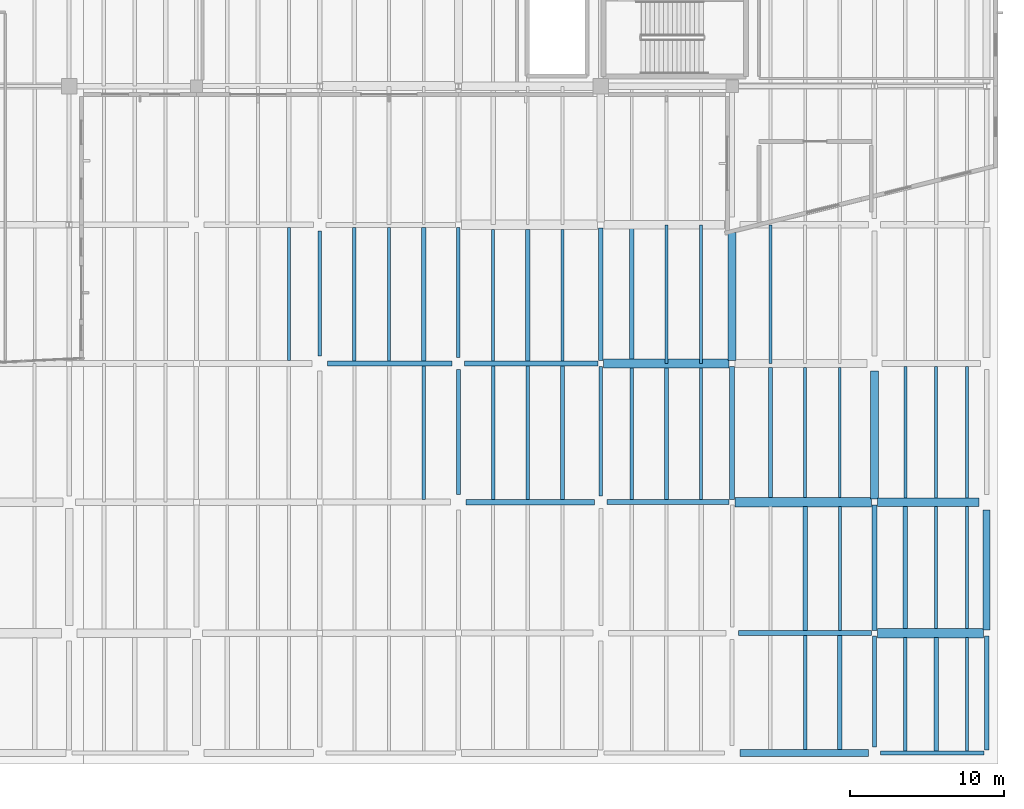
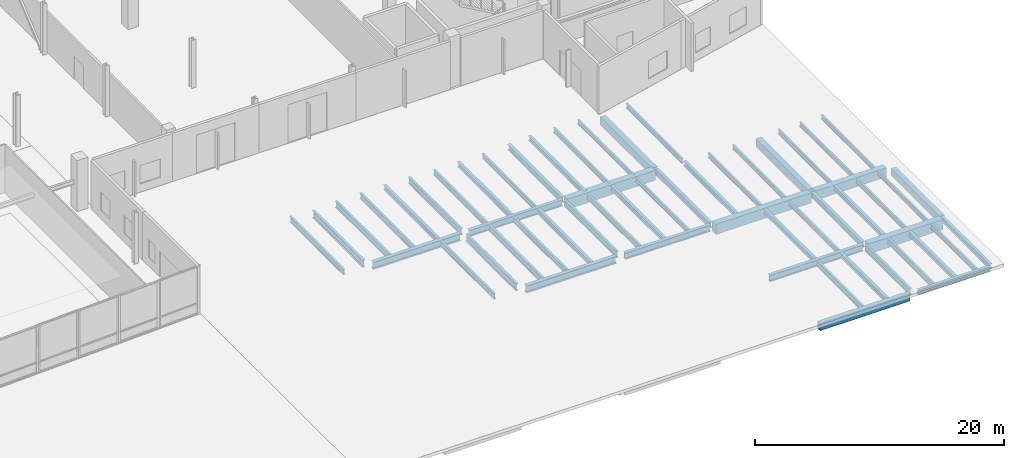
# One storey, part 50 of 88: 57 beams.
"""IFC4 building model written with IfcOpenShell, lengths in metres."""

from ifc_helpers import new_model, si_unit, direction, frame, origin, origin_2d, place, context, subcontext, project, spatial, rectangle, i_section, extrude, material, material_profile, profile_set, type_object, element, save


model = new_model("IFC4")

# Units and contexts
model_context = context("Model", 3, precision=1e-05, world=origin(), true_north=direction((0.0, 1.0)))
body_context = subcontext(model_context, "Body", "Model", "MODEL_VIEW")
ifc_project = project(units=[si_unit("LENGTHUNIT", "METRE"), si_unit("AREAUNIT", "SQUARE_METRE"), si_unit("VOLUMEUNIT", "CUBIC_METRE"), si_unit("PLANEANGLEUNIT", "RADIAN"), si_unit("MASSUNIT", "GRAM", prefix="KILO")], contexts=[model_context])

# Site, building, storey
site_placement = place(None, origin())
site = spatial("IfcSite", under=ifc_project, at=site_placement, CompositionType="ELEMENT")
building_placement = place(site_placement, origin())
building = spatial("IfcBuilding", under=site, at=building_placement, Name="Trimount Lyric Opera House", CompositionType="ELEMENT")
storey_placement = place(building_placement, origin())
storey = spatial("IfcBuildingStorey", under=building, at=storey_placement, Name="L00", CompositionType="ELEMENT", Elevation=0.0)

# Beams
ifc_material_1 = material(Name="Steel ASTM A992 Grade 50", Category="steel")
ifc_material_profile_1 = material_profile(ifc_material_1, i_section(OverallWidth=0.35595703125, OverallDepth=0.700927734375, WebThickness=0.016845703125, FlangeThickness=0.02734375, FilletRadius=0.01806640625, at=origin_2d()), Name="W27X161")
ifc_profile_set_1 = profile_set([ifc_material_profile_1], Name="Steel ASTM A992 Grade 50")
beam_type_1 = type_object("IfcBeamType", Name="B-08", PredefinedType="BEAM", material=ifc_profile_set_1)
beam_1_placement = place(storey_placement, frame((139.5, 17.0, -0.650390625), z_axis=(1.0, 0.0, 0.0), x_axis=(0.0, 1.0, 0.0)))
element("IfcBeam", 1, at=beam_1_placement, inside=storey, type_object=beam_type_1, Name="L00 girder X-0050", PredefinedType="BEAM", context=body_context, shape_type="SweptSolid", body=[
    extrude(i_section(OverallWidth=0.35595703125, OverallDepth=0.700927734375, WebThickness=0.016845703125, FlangeThickness=0.02734375, FilletRadius=0.01806640625, at=origin_2d()), origin(), (0.0, 0.0, 1.0), 8.340087890625),
])
beam_2_placement = place(storey_placement, frame((130.5, 26.0, -0.650390625), z_axis=(1.0, 0.0, 0.0), x_axis=(0.0, 1.0, 0.0)))
element("IfcBeam", 2, at=beam_2_placement, inside=storey, type_object=beam_type_1, Name="L00 girder X-0064", PredefinedType="BEAM", context=body_context, shape_type="SweptSolid", body=[
    extrude(i_section(OverallWidth=0.35595703125, OverallDepth=0.700927734375, WebThickness=0.016845703125, FlangeThickness=0.02734375, FilletRadius=0.01806640625, at=origin_2d()), origin(), (0.0, 0.0, 1.0), 8.10009765625),
])
ifc_material_2 = material(Name="Steel ASTM A992 Grade 50", Category="steel")
ifc_material_profile_2 = material_profile(ifc_material_2, i_section(OverallWidth=0.25390625, OverallDepth=0.68798828125, WebThickness=0.01318359375, FlangeThickness=0.02099609375, FilletRadius=0.01611328125, at=origin_2d()), Name="W27X102")
ifc_profile_set_2 = profile_set([ifc_material_profile_2], Name="Steel ASTM A992 Grade 50")
beam_type_2 = type_object("IfcBeamType", Name="B-09", PredefinedType="BEAM", material=ifc_profile_set_2)
for number, where, z_axis, x_axis, name in (
    (3, (130.0, 26.5, -0.64404296875), (0.0, 1.0, 0.0), (-1.0, 0.0, 0.0), "L00 girder Y-0397"),
    (4, (139.0, 17.5, -0.64404296875), (0.0, 1.0, 0.0), (-1.0, 0.0, 0.0), "L00 girder Y-0406"),
):
    element("IfcBeam", number, at=place(storey_placement, frame(where, z_axis=z_axis, x_axis=x_axis)), inside=storey, type_object=beam_type_2, Name=name, PredefinedType="BEAM", context=body_context, shape_type="SweptSolid", body=[
        extrude(i_section(OverallWidth=0.25390625, OverallDepth=0.68798828125, WebThickness=0.01318359375, FlangeThickness=0.02099609375, FilletRadius=0.01611328125, at=origin_2d()), origin(), (0.0, 0.0, 1.0), 8.10009765625),
    ])
ifc_material_3 = material(Name="Steel ASTM A992 Grade 50", Category="steel")
ifc_material_profile_3 = material_profile(ifc_material_3, i_section(OverallWidth=0.327880859375, OverallDepth=0.626953125, WebThickness=0.0166015625, FlangeThickness=0.027587890625, FilletRadius=0.01611328125, at=origin_2d()), Name="W24X146")
ifc_profile_set_3 = profile_set([ifc_material_profile_3], Name="Steel ASTM A992 Grade 50")
beam_type_3 = type_object("IfcBeamType", Name="B-10", PredefinedType="BEAM", material=ifc_profile_set_3)
beam_3_placement = place(storey_placement, frame((157.159912109375, 8.5, -0.613525390625), z_axis=(1.0, 0.0, 0.0), x_axis=(0.0, 1.0, 0.0)))
element("IfcBeam", 5, at=beam_3_placement, inside=storey, type_object=beam_type_3, Name="L00 girder X-0037", PredefinedType="BEAM", context=body_context, shape_type="SweptSolid", body=[
    extrude(i_section(OverallWidth=0.327880859375, OverallDepth=0.626953125, WebThickness=0.0166015625, FlangeThickness=0.027587890625, FilletRadius=0.01611328125, at=origin_2d()), origin(), (0.0, 0.0, 1.0), 8.653564453125),
])
beam_4_placement = place(storey_placement, frame((148.639892578125, 17.0, -0.613525390625), z_axis=(1.0, 0.0, 0.0), x_axis=(0.0, 1.0, 0.0)))
element("IfcBeam", 6, at=beam_4_placement, inside=storey, type_object=beam_type_3, Name="L00 girder X-0051", PredefinedType="BEAM", context=body_context, shape_type="SweptSolid", body=[
    extrude(i_section(OverallWidth=0.327880859375, OverallDepth=0.626953125, WebThickness=0.0166015625, FlangeThickness=0.027587890625, FilletRadius=0.01611328125, at=origin_2d()), origin(), (0.0, 0.0, 1.0), 7.93359375),
])
beam_5_placement = place(storey_placement, frame((139.39990234375, 26.0, -0.613525390625), z_axis=(1.0, 0.0, 0.0), x_axis=(0.0, 1.0, 0.0)))
element("IfcBeam", 7, at=beam_5_placement, inside=storey, type_object=beam_type_3, Name="L00 girder X-0065", PredefinedType="BEAM", context=body_context, shape_type="SweptSolid", body=[
    extrude(i_section(OverallWidth=0.327880859375, OverallDepth=0.626953125, WebThickness=0.0166015625, FlangeThickness=0.027587890625, FilletRadius=0.01611328125, at=origin_2d()), origin(), (0.0, 0.0, 1.0), 8.653564453125),
])
ifc_material_4 = material(Name="Steel ASTM A992 Grade 50", Category="steel")
ifc_material_profile_4 = material_profile(ifc_material_4, i_section(OverallWidth=0.22998046875, OverallDepth=0.616943359375, WebThickness=0.01318359375, FlangeThickness=0.022216796875, FilletRadius=0.013916015625, at=origin_2d()), Name="W24X94")
ifc_profile_set_4 = profile_set([ifc_material_profile_4], Name="Steel ASTM A992 Grade 50")
beam_type_4 = type_object("IfcBeamType", Name="B-11", PredefinedType="BEAM", material=ifc_profile_set_4)
for number, where, z_axis, x_axis, name in (
    (8, (139.0, 26.39990234375, -0.6083984375), (0.0, 1.0, 0.0), (-1.0, 0.0, 0.0), "L00 girder Y-0407"),
    (9, (148.239990234375, 17.39990234375, -0.6083984375), (0.0, 1.0, 0.0), (-1.0, 0.0, 0.0), "L00 girder Y-0416"),
):
    element("IfcBeam", number, at=place(storey_placement, frame(where, z_axis=z_axis, x_axis=x_axis)), inside=storey, type_object=beam_type_4, Name=name, PredefinedType="BEAM", context=body_context, shape_type="SweptSolid", body=[
        extrude(i_section(OverallWidth=0.22998046875, OverallDepth=0.616943359375, WebThickness=0.01318359375, FlangeThickness=0.022216796875, FilletRadius=0.013916015625, at=origin_2d()), origin(), (0.0, 0.0, 1.0), 8.416015625),
    ])
beam_6_placement = place(storey_placement, frame((166.0, 1.1201171875, -0.6083984375), z_axis=(0.0, 1.0, 0.0), x_axis=(-1.0, 0.0, 0.0)))
element("IfcBeam", 10, at=beam_6_placement, inside=storey, type_object=beam_type_4, Name="L00 girder Y-0439", PredefinedType="BEAM", context=body_context, shape_type="SweptSolid", body=[
    extrude(i_section(OverallWidth=0.22998046875, OverallDepth=0.616943359375, WebThickness=0.01318359375, FlangeThickness=0.022216796875, FilletRadius=0.013916015625, at=origin_2d()), origin(), (0.0, 0.0, 1.0), 7.19580078125),
])
ifc_material_5 = material(Name="Steel ASTM A992 Grade 50", Category="steel")
ifc_material_profile_5 = material_profile(ifc_material_5, i_section(OverallWidth=0.31201171875, OverallDepth=0.5458984375, WebThickness=0.013916015625, FlangeThickness=0.022216796875, FilletRadius=0.014892578125, at=origin_2d()), Name="W21X111")
ifc_profile_set_5 = profile_set([ifc_material_profile_5], Name="Steel ASTM A992 Grade 50")
beam_type_5 = type_object("IfcBeamType", Name="B-12", PredefinedType="BEAM", material=ifc_profile_set_5)
for number, where, z_axis, x_axis, name in (
    (11, (148.239990234375, 26.18408203125, -0.572998046875), (0.0, 1.0, 0.0), (-1.0, 0.0, 0.0), "L00 girder Y-0417"),
    (12, (156.760009765625, 17.18408203125, -0.572998046875), (0.0, 1.0, 0.0), (-1.0, 0.0, 0.0), "L00 girder Y-0429"),
):
    element("IfcBeam", number, at=place(storey_placement, frame(where, z_axis=z_axis, x_axis=x_axis)), inside=storey, type_object=beam_type_5, Name=name, PredefinedType="BEAM", context=body_context, shape_type="SweptSolid", body=[
        extrude(i_section(OverallWidth=0.31201171875, OverallDepth=0.5458984375, WebThickness=0.013916015625, FlangeThickness=0.022216796875, FilletRadius=0.014892578125, at=origin_2d()), origin(), (0.0, 0.0, 1.0), 8.622802734375),
    ])
beam_7_placement = place(storey_placement, frame((166.0, 8.68408203125, -0.572998046875), z_axis=(0.0, 1.0, 0.0), x_axis=(-1.0, 0.0, 0.0)))
element("IfcBeam", 13, at=beam_7_placement, inside=storey, type_object=beam_type_5, Name="L00 girder Y-0440", PredefinedType="BEAM", context=body_context, shape_type="SweptSolid", body=[
    extrude(i_section(OverallWidth=0.31201171875, OverallDepth=0.5458984375, WebThickness=0.013916015625, FlangeThickness=0.022216796875, FilletRadius=0.014892578125, at=origin_2d()), origin(), (0.0, 0.0, 1.0), 8.122802734375),
])
ifc_material_6 = material(Name="Concrete C40/50", Category="concrete")
ifc_material_profile_6 = material_profile(ifc_material_6, rectangle(XDim=0.60009765625, YDim=1.0, at=origin_2d()), Name="RC600X1000")
ifc_profile_set_6 = profile_set([ifc_material_profile_6], Name="Concrete C40/50")
beam_type_6 = type_object("IfcBeamType", Name="B-13", PredefinedType="BEAM", material=ifc_profile_set_6)
beam_8_placement = place(storey_placement, frame((166.1865234375, 8.5, -0.800048828125), z_axis=(1.0, 0.0, 0.0), x_axis=(0.0, 1.0, 0.0)))
element("IfcBeam", 14, at=beam_8_placement, inside=storey, type_object=beam_type_6, Name="L00 girder X-0038", PredefinedType="BEAM", context=body_context, shape_type="SweptSolid", body=[
    extrude(rectangle(XDim=0.60009765625, YDim=1.0, at=origin_2d()), origin(), (0.0, 0.0, 1.0), 6.89404296875),
])
beam_9_placement = place(storey_placement, frame((156.946533203125, 17.0, -0.800048828125), z_axis=(1.0, 0.0, 0.0), x_axis=(0.0, 1.0, 0.0)))
element("IfcBeam", 15, at=beam_9_placement, inside=storey, type_object=beam_type_6, Name="L00 girder X-0052", PredefinedType="BEAM", context=body_context, shape_type="SweptSolid", body=[
    extrude(rectangle(XDim=0.60009765625, YDim=1.0, at=origin_2d()), origin(), (0.0, 0.0, 1.0), 8.85400390625),
])
beam_10_placement = place(storey_placement, frame((148.426513671875, 26.0, -0.800048828125), z_axis=(1.0, 0.0, 0.0), x_axis=(0.0, 1.0, 0.0)))
element("IfcBeam", 16, at=beam_10_placement, inside=storey, type_object=beam_type_6, Name="L00 girder X-0066", PredefinedType="BEAM", context=body_context, shape_type="SweptSolid", body=[
    extrude(rectangle(XDim=0.60009765625, YDim=1.0, at=origin_2d()), origin(), (0.0, 0.0, 1.0), 8.134033203125),
])
ifc_material_7 = material(Name="Concrete C40/50", Category="concrete")
ifc_material_profile_7 = material_profile(ifc_material_7, rectangle(XDim=0.550048828125, YDim=0.89990234375, at=origin_2d()), Name="RC550X900")
ifc_profile_set_7 = profile_set([ifc_material_profile_7], Name="Concrete C40/50")
beam_type_7 = type_object("IfcBeamType", Name="B-14", PredefinedType="BEAM", material=ifc_profile_set_7)
beam_11_placement = place(storey_placement, frame((166.199462890625, 17.0, -0.75), z_axis=(1.0, 0.0, 0.0), x_axis=(0.0, 1.0, 0.0)))
element("IfcBeam", 17, at=beam_11_placement, inside=storey, type_object=beam_type_7, Name="L00 girder X-0053", PredefinedType="BEAM", context=body_context, shape_type="SweptSolid", body=[
    extrude(rectangle(XDim=0.550048828125, YDim=0.89990234375, at=origin_2d()), origin(), (0.0, 0.0, 1.0), 6.58056640625),
])
ifc_material_8 = material(Name="Concrete C40/50", Category="concrete")
ifc_material_profile_8 = material_profile(ifc_material_8, rectangle(XDim=0.5, YDim=0.800048828125, at=origin_2d()), Name="RC500X800")
ifc_profile_set_8 = profile_set([ifc_material_profile_8], Name="Concrete C40/50")
beam_type_8 = type_object("IfcBeamType", Name="B-15", PredefinedType="BEAM", material=ifc_profile_set_8)
for number, where, z_axis, x_axis, name in (
    (18, (156.760009765625, 26.193115234375, -0.780029296875), (0.0, 1.0, 0.0), (-1.0, 0.0, 0.0), "L00 girder Y-0430"),
    (19, (166.0, 17.193115234375, -0.699951171875), (0.0, 1.0, 0.0), (-1.0, 0.0, 0.0), "L00 girder Y-0441"),
):
    element("IfcBeam", number, at=place(storey_placement, frame(where, z_axis=z_axis, x_axis=x_axis)), inside=storey, type_object=beam_type_8, Name=name, PredefinedType="BEAM", context=body_context, shape_type="SweptSolid", body=[
        extrude(rectangle(XDim=0.5, YDim=0.800048828125, at=origin_2d()), origin(), (0.0, 0.0, 1.0), 8.306884765625),
    ])
ifc_material_9 = material(Name="Steel ASTM A992 Grade 50", Category="steel")
ifc_material_profile_9 = material_profile(ifc_material_9, i_section(OverallWidth=0.22802734375, OverallDepth=0.60205078125, WebThickness=0.010498046875, FlangeThickness=0.014892578125, FilletRadius=0.012939453125, at=origin_2d()), Name="W24X68")
ifc_profile_set_9 = profile_set([ifc_material_profile_9], Name="Steel ASTM A992 Grade 50")
beam_type_9 = type_object("IfcBeamType", Name="J-01", PredefinedType="BEAM", material=ifc_profile_set_9)
for number, where, z_axis, x_axis, name in (
    (20, (132.25, 26.174072265625, -0.60107421875), (0.0, 1.0, 0.0), (-1.0, 0.0, 0.0), "L00 composite floor joist 0408"),
    (21, (141.25, 17.174072265625, -0.60107421875), (0.0, 1.0, 0.0), (-1.0, 0.0, 0.0), "L00 composite floor joist 0435"),
):
    element("IfcBeam", number, at=place(storey_placement, frame(where, z_axis=z_axis, x_axis=x_axis)), inside=storey, type_object=beam_type_9, Name=name, PredefinedType="BEAM", context=body_context, shape_type="SweptSolid", body=[
        extrude(i_section(OverallWidth=0.22802734375, OverallDepth=0.60205078125, WebThickness=0.010498046875, FlangeThickness=0.014892578125, FilletRadius=0.012939453125, at=origin_2d()), origin(), (0.0, 0.0, 1.0), 8.666015625),
    ])
ifc_material_10 = material(Name="Steel ASTM A992 Grade 50", Category="steel")
ifc_material_profile_10 = material_profile(ifc_material_10, i_section(OverallWidth=0.2099609375, OverallDepth=0.532958984375, WebThickness=0.01025390625, FlangeThickness=0.015625, FilletRadius=0.012939453125, at=origin_2d()), Name="W21X62")
ifc_profile_set_10 = profile_set([ifc_material_profile_10], Name="Steel ASTM A992 Grade 50")
beam_type_10 = type_object("IfcBeamType", Name="J-02", PredefinedType="BEAM", material=ifc_profile_set_10)
for number, where, z_axis, x_axis, name in (
    (22, (128.0, 26.18701171875, -0.56640625), (0.0, 1.0, 0.0), (-1.0, 0.0, 0.0), "L00 composite floor joist 0380"),
    (23, (136.75, 17.18701171875, -0.56640625), (0.0, 1.0, 0.0), (-1.0, 0.0, 0.0), "L00 composite floor joist 0407"),
):
    element("IfcBeam", number, at=place(storey_placement, frame(where, z_axis=z_axis, x_axis=x_axis)), inside=storey, type_object=beam_type_10, Name=name, PredefinedType="BEAM", context=body_context, shape_type="SweptSolid", body=[
        extrude(i_section(OverallWidth=0.2099609375, OverallDepth=0.532958984375, WebThickness=0.01025390625, FlangeThickness=0.015625, FilletRadius=0.012939453125, at=origin_2d()), origin(), (0.0, 0.0, 1.0), 8.638916015625),
    ])
for number, where, z_axis, x_axis, name in (
    (24, (134.5, 26.174072265625, -0.56640625), (0.0, 1.0, 0.0), (-1.0, 0.0, 0.0), "L00 composite floor joist 0409"),
    (25, (143.5, 17.174072265625, -0.56640625), (0.0, 1.0, 0.0), (-1.0, 0.0, 0.0), "L00 composite floor joist 0436"),
):
    element("IfcBeam", number, at=place(storey_placement, frame(where, z_axis=z_axis, x_axis=x_axis)), inside=storey, type_object=beam_type_10, Name=name, PredefinedType="BEAM", context=body_context, shape_type="SweptSolid", body=[
        extrude(i_section(OverallWidth=0.2099609375, OverallDepth=0.532958984375, WebThickness=0.01025390625, FlangeThickness=0.015625, FilletRadius=0.012939453125, at=origin_2d()), origin(), (0.0, 0.0, 1.0), 8.666015625),
    ])
for number, where, z_axis, x_axis, name in (
    (26, (141.25, 26.159912109375, -0.56640625), (0.0, 1.0, 0.0), (-1.0, 0.0, 0.0), "L00 composite floor joist 0438"),
    (27, (150.25, 17.159912109375, -0.56640625), (0.0, 1.0, 0.0), (-1.0, 0.0, 0.0), "L00 composite floor joist 0464"),
):
    element("IfcBeam", number, at=place(storey_placement, frame(where, z_axis=z_axis, x_axis=x_axis)), inside=storey, type_object=beam_type_10, Name=name, PredefinedType="BEAM", context=body_context, shape_type="SweptSolid", body=[
        extrude(i_section(OverallWidth=0.2099609375, OverallDepth=0.532958984375, WebThickness=0.01025390625, FlangeThickness=0.015625, FilletRadius=0.012939453125, at=origin_2d()), origin(), (0.0, 0.0, 1.0), 8.544189453125),
    ])
beam_12_placement = place(storey_placement, frame((161.5, 0.94091796875, -0.56640625), z_axis=(0.0, 1.0, 0.0), x_axis=(-1.0, 0.0, 0.0)))
element("IfcBeam", 28, at=beam_12_placement, inside=storey, type_object=beam_type_10, Name="L00 composite floor joist 0495", PredefinedType="BEAM", context=body_context, shape_type="SweptSolid", body=[
    extrude(i_section(OverallWidth=0.2099609375, OverallDepth=0.532958984375, WebThickness=0.01025390625, FlangeThickness=0.015625, FilletRadius=0.012939453125, at=origin_2d()), origin(), (0.0, 0.0, 1.0), 7.399169921875),
])
beam_13_placement = place(storey_placement, frame((168.0, 0.85693359375, -0.56640625), z_axis=(0.0, 1.0, 0.0), x_axis=(-1.0, 0.0, 0.0)))
element("IfcBeam", 29, at=beam_13_placement, inside=storey, type_object=beam_type_10, Name="L00 composite floor joist 0533", PredefinedType="BEAM", context=body_context, shape_type="SweptSolid", body=[
    extrude(i_section(OverallWidth=0.2099609375, OverallDepth=0.532958984375, WebThickness=0.01025390625, FlangeThickness=0.015625, FilletRadius=0.012939453125, at=origin_2d()), origin(), (0.0, 0.0, 1.0), 7.34716796875),
])
ifc_material_11 = material(Name="Steel ASTM A992 Grade 50", Category="steel")
ifc_material_profile_11 = material_profile(ifc_material_11, i_section(OverallWidth=0.281982421875, OverallDepth=0.467041015625, WebThickness=0.01220703125, FlangeThickness=0.01953125, FilletRadius=0.012939453125, at=origin_2d()), Name="W18X86")
ifc_profile_set_11 = profile_set([ifc_material_profile_11], Name="Steel ASTM A992 Grade 50")
beam_type_11 = type_object("IfcBeamType", Name="J-03", PredefinedType="BEAM", material=ifc_profile_set_11)
for number, where, z_axis, x_axis, name in (
    (30, (136.75, 26.174072265625, -0.533447265625), (0.0, 1.0, 0.0), (-1.0, 0.0, 0.0), "L00 composite floor joist 0410"),
    (31, (145.75, 17.174072265625, -0.533447265625), (0.0, 1.0, 0.0), (-1.0, 0.0, 0.0), "L00 composite floor joist 0437"),
):
    element("IfcBeam", number, at=place(storey_placement, frame(where, z_axis=z_axis, x_axis=x_axis)), inside=storey, type_object=beam_type_11, Name=name, PredefinedType="BEAM", context=body_context, shape_type="SweptSolid", body=[
        extrude(i_section(OverallWidth=0.281982421875, OverallDepth=0.467041015625, WebThickness=0.01220703125, FlangeThickness=0.01953125, FilletRadius=0.012939453125, at=origin_2d()), origin(), (0.0, 0.0, 1.0), 8.666015625),
    ])
for number, where, z_axis, x_axis, name in (
    (32, (143.5, 26.159912109375, -0.533447265625), (0.0, 1.0, 0.0), (-1.0, 0.0, 0.0), "L00 composite floor joist 0439"),
    (33, (152.5, 17.159912109375, -0.533447265625), (0.0, 1.0, 0.0), (-1.0, 0.0, 0.0), "L00 composite floor joist 0465"),
):
    element("IfcBeam", number, at=place(storey_placement, frame(where, z_axis=z_axis, x_axis=x_axis)), inside=storey, type_object=beam_type_11, Name=name, PredefinedType="BEAM", context=body_context, shape_type="SweptSolid", body=[
        extrude(i_section(OverallWidth=0.281982421875, OverallDepth=0.467041015625, WebThickness=0.01220703125, FlangeThickness=0.01953125, FilletRadius=0.012939453125, at=origin_2d()), origin(), (0.0, 0.0, 1.0), 8.544189453125),
    ])
beam_14_placement = place(storey_placement, frame((150.25, 26.011962890625, -0.533447265625), z_axis=(0.0, 1.0, 0.0), x_axis=(-1.0, 0.0, 0.0)))
element("IfcBeam", 34, at=beam_14_placement, inside=storey, type_object=beam_type_11, Name="L00 composite floor joist 0467", PredefinedType="BEAM", context=body_context, shape_type="SweptSolid", body=[
    extrude(i_section(OverallWidth=0.281982421875, OverallDepth=0.467041015625, WebThickness=0.01220703125, FlangeThickness=0.01953125, FilletRadius=0.012939453125, at=origin_2d()), origin(), (0.0, 0.0, 1.0), 8.97607421875),
])
beam_15_placement = place(storey_placement, frame((163.75, 0.94091796875, -0.533447265625), z_axis=(0.0, 1.0, 0.0), x_axis=(-1.0, 0.0, 0.0)))
element("IfcBeam", 35, at=beam_15_placement, inside=storey, type_object=beam_type_11, Name="L00 composite floor joist 0496", PredefinedType="BEAM", context=body_context, shape_type="SweptSolid", body=[
    extrude(i_section(OverallWidth=0.281982421875, OverallDepth=0.467041015625, WebThickness=0.01220703125, FlangeThickness=0.01953125, FilletRadius=0.012939453125, at=origin_2d()), origin(), (0.0, 0.0, 1.0), 7.399169921875),
])
beam_16_placement = place(storey_placement, frame((161.5, 8.659912109375, -0.533447265625), z_axis=(0.0, 1.0, 0.0), x_axis=(-1.0, 0.0, 0.0)))
element("IfcBeam", 36, at=beam_16_placement, inside=storey, type_object=beam_type_11, Name="L00 composite floor joist 0498", PredefinedType="BEAM", context=body_context, shape_type="SweptSolid", body=[
    extrude(i_section(OverallWidth=0.281982421875, OverallDepth=0.467041015625, WebThickness=0.01220703125, FlangeThickness=0.01953125, FilletRadius=0.012939453125, at=origin_2d()), origin(), (0.0, 0.0, 1.0), 8.044189453125),
])
beam_17_placement = place(storey_placement, frame((159.25, 17.2958984375, -0.533447265625), z_axis=(0.0, 1.0, 0.0), x_axis=(-1.0, 0.0, 0.0)))
element("IfcBeam", 37, at=beam_17_placement, inside=storey, type_object=beam_type_11, Name="L00 composite floor joist 0500", PredefinedType="BEAM", context=body_context, shape_type="SweptSolid", body=[
    extrude(i_section(OverallWidth=0.281982421875, OverallDepth=0.467041015625, WebThickness=0.01220703125, FlangeThickness=0.01953125, FilletRadius=0.012939453125, at=origin_2d()), origin(), (0.0, 0.0, 1.0), 8.43310546875),
])
beam_18_placement = place(storey_placement, frame((170.0, 0.85693359375, -0.533447265625), z_axis=(0.0, 1.0, 0.0), x_axis=(-1.0, 0.0, 0.0)))
element("IfcBeam", 38, at=beam_18_placement, inside=storey, type_object=beam_type_11, Name="L00 composite floor joist 0534", PredefinedType="BEAM", context=body_context, shape_type="SweptSolid", body=[
    extrude(i_section(OverallWidth=0.281982421875, OverallDepth=0.467041015625, WebThickness=0.01220703125, FlangeThickness=0.01953125, FilletRadius=0.012939453125, at=origin_2d()), origin(), (0.0, 0.0, 1.0), 7.34716796875),
])
beam_19_placement = place(storey_placement, frame((168.0, 8.7958984375, -0.533447265625), z_axis=(0.0, 1.0, 0.0), x_axis=(-1.0, 0.0, 0.0)))
element("IfcBeam", 39, at=beam_19_placement, inside=storey, type_object=beam_type_11, Name="L00 composite floor joist 0536", PredefinedType="BEAM", context=body_context, shape_type="SweptSolid", body=[
    extrude(i_section(OverallWidth=0.281982421875, OverallDepth=0.467041015625, WebThickness=0.01220703125, FlangeThickness=0.01953125, FilletRadius=0.012939453125, at=origin_2d()), origin(), (0.0, 0.0, 1.0), 7.93310546875),
])
ifc_material_12 = material(Name="Steel ASTM A992 Grade 50", Category="steel")
ifc_material_profile_12 = material_profile(ifc_material_12, i_section(OverallWidth=0.19091796875, OverallDepth=0.45703125, WebThickness=0.009033203125, FlangeThickness=0.014404296875, FilletRadius=0.010986328125, at=origin_2d()), Name="W18X50")
ifc_profile_set_12 = profile_set([ifc_material_profile_12], Name="Steel ASTM A992 Grade 50")
beam_type_12 = type_object("IfcBeamType", Name="J-04", PredefinedType="BEAM", material=ifc_profile_set_12)
for number, where, z_axis, x_axis, name in (
    (40, (145.75, 26.159912109375, -0.528564453125), (0.0, 1.0, 0.0), (-1.0, 0.0, 0.0), "L00 composite floor joist 0440"),
    (41, (154.75, 17.159912109375, -0.528564453125), (0.0, 1.0, 0.0), (-1.0, 0.0, 0.0), "L00 composite floor joist 0466"),
):
    element("IfcBeam", number, at=place(storey_placement, frame(where, z_axis=z_axis, x_axis=x_axis)), inside=storey, type_object=beam_type_12, Name=name, PredefinedType="BEAM", context=body_context, shape_type="SweptSolid", body=[
        extrude(i_section(OverallWidth=0.19091796875, OverallDepth=0.45703125, WebThickness=0.009033203125, FlangeThickness=0.014404296875, FilletRadius=0.010986328125, at=origin_2d()), origin(), (0.0, 0.0, 1.0), 8.544189453125),
    ])
beam_20_placement = place(storey_placement, frame((152.5, 26.011962890625, -0.528564453125), z_axis=(0.0, 1.0, 0.0), x_axis=(-1.0, 0.0, 0.0)))
element("IfcBeam", 42, at=beam_20_placement, inside=storey, type_object=beam_type_12, Name="L00 composite floor joist 0468", PredefinedType="BEAM", context=body_context, shape_type="SweptSolid", body=[
    extrude(i_section(OverallWidth=0.19091796875, OverallDepth=0.45703125, WebThickness=0.009033203125, FlangeThickness=0.014404296875, FilletRadius=0.010986328125, at=origin_2d()), origin(), (0.0, 0.0, 1.0), 8.97607421875),
])
beam_21_placement = place(storey_placement, frame((163.75, 8.659912109375, -0.528564453125), z_axis=(0.0, 1.0, 0.0), x_axis=(-1.0, 0.0, 0.0)))
element("IfcBeam", 43, at=beam_21_placement, inside=storey, type_object=beam_type_12, Name="L00 composite floor joist 0499", PredefinedType="BEAM", context=body_context, shape_type="SweptSolid", body=[
    extrude(i_section(OverallWidth=0.19091796875, OverallDepth=0.45703125, WebThickness=0.009033203125, FlangeThickness=0.014404296875, FilletRadius=0.010986328125, at=origin_2d()), origin(), (0.0, 0.0, 1.0), 8.044189453125),
])
beam_22_placement = place(storey_placement, frame((161.5, 17.2958984375, -0.528564453125), z_axis=(0.0, 1.0, 0.0), x_axis=(-1.0, 0.0, 0.0)))
element("IfcBeam", 44, at=beam_22_placement, inside=storey, type_object=beam_type_12, Name="L00 composite floor joist 0501", PredefinedType="BEAM", context=body_context, shape_type="SweptSolid", body=[
    extrude(i_section(OverallWidth=0.19091796875, OverallDepth=0.45703125, WebThickness=0.009033203125, FlangeThickness=0.014404296875, FilletRadius=0.010986328125, at=origin_2d()), origin(), (0.0, 0.0, 1.0), 8.43310546875),
])
beam_23_placement = place(storey_placement, frame((159.25, 26.011962890625, -0.528564453125), z_axis=(0.0, 1.0, 0.0), x_axis=(-1.0, 0.0, 0.0)))
element("IfcBeam", 45, at=beam_23_placement, inside=storey, type_object=beam_type_12, Name="L00 composite floor joist 0503", PredefinedType="BEAM", context=body_context, shape_type="SweptSolid", body=[
    extrude(i_section(OverallWidth=0.19091796875, OverallDepth=0.45703125, WebThickness=0.009033203125, FlangeThickness=0.014404296875, FilletRadius=0.010986328125, at=origin_2d()), origin(), (0.0, 0.0, 1.0), 8.97607421875),
])
beam_24_placement = place(storey_placement, frame((172.0, 0.85693359375, -0.528564453125), z_axis=(0.0, 1.0, 0.0), x_axis=(-1.0, 0.0, 0.0)))
element("IfcBeam", 46, at=beam_24_placement, inside=storey, type_object=beam_type_12, Name="L00 composite floor joist 0535", PredefinedType="BEAM", context=body_context, shape_type="SweptSolid", body=[
    extrude(i_section(OverallWidth=0.19091796875, OverallDepth=0.45703125, WebThickness=0.009033203125, FlangeThickness=0.014404296875, FilletRadius=0.010986328125, at=origin_2d()), origin(), (0.0, 0.0, 1.0), 7.34716796875),
])
beam_25_placement = place(storey_placement, frame((170.0, 8.7958984375, -0.528564453125), z_axis=(0.0, 1.0, 0.0), x_axis=(-1.0, 0.0, 0.0)))
element("IfcBeam", 47, at=beam_25_placement, inside=storey, type_object=beam_type_12, Name="L00 composite floor joist 0537", PredefinedType="BEAM", context=body_context, shape_type="SweptSolid", body=[
    extrude(i_section(OverallWidth=0.19091796875, OverallDepth=0.45703125, WebThickness=0.009033203125, FlangeThickness=0.014404296875, FilletRadius=0.010986328125, at=origin_2d()), origin(), (0.0, 0.0, 1.0), 7.93310546875),
])
beam_26_placement = place(storey_placement, frame((168.0, 17.27099609375, -0.528564453125), z_axis=(0.0, 1.0, 0.0), x_axis=(-1.0, 0.0, 0.0)))
element("IfcBeam", 48, at=beam_26_placement, inside=storey, type_object=beam_type_12, Name="L00 composite floor joist 0539", PredefinedType="BEAM", context=body_context, shape_type="SweptSolid", body=[
    extrude(i_section(OverallWidth=0.19091796875, OverallDepth=0.45703125, WebThickness=0.009033203125, FlangeThickness=0.014404296875, FilletRadius=0.010986328125, at=origin_2d()), origin(), (0.0, 0.0, 1.0), 8.5234375),
])
ifc_material_13 = material(Name="Steel ASTM A992 Grade 50", Category="steel")
ifc_material_profile_13 = material_profile(ifc_material_13, i_section(OverallWidth=0.180908203125, OverallDepth=0.4169921875, WebThickness=0.010986328125, FlangeThickness=0.018310546875, FilletRadius=0.010986328125, at=origin_2d()), Name="W16X57")
ifc_profile_set_13 = profile_set([ifc_material_profile_13], Name="Steel ASTM A992 Grade 50")
beam_type_13 = type_object("IfcBeamType", Name="J-05", PredefinedType="BEAM", material=ifc_profile_set_13)
beam_27_placement = place(storey_placement, frame((154.75, 26.011962890625, -0.508544921875), z_axis=(0.0, 1.0, 0.0), x_axis=(-1.0, 0.0, 0.0)))
element("IfcBeam", 49, at=beam_27_placement, inside=storey, type_object=beam_type_13, Name="L00 composite floor joist 0469", PredefinedType="BEAM", context=body_context, shape_type="SweptSolid", body=[
    extrude(i_section(OverallWidth=0.180908203125, OverallDepth=0.4169921875, WebThickness=0.010986328125, FlangeThickness=0.018310546875, FilletRadius=0.010986328125, at=origin_2d()), origin(), (0.0, 0.0, 1.0), 8.97607421875),
])
beam_28_placement = place(storey_placement, frame((163.75, 17.2958984375, -0.508544921875), z_axis=(0.0, 1.0, 0.0), x_axis=(-1.0, 0.0, 0.0)))
element("IfcBeam", 50, at=beam_28_placement, inside=storey, type_object=beam_type_13, Name="L00 composite floor joist 0502", PredefinedType="BEAM", context=body_context, shape_type="SweptSolid", body=[
    extrude(i_section(OverallWidth=0.180908203125, OverallDepth=0.4169921875, WebThickness=0.010986328125, FlangeThickness=0.018310546875, FilletRadius=0.010986328125, at=origin_2d()), origin(), (0.0, 0.0, 1.0), 8.43310546875),
])
beam_29_placement = place(storey_placement, frame((172.0, 8.7958984375, -0.508544921875), z_axis=(0.0, 1.0, 0.0), x_axis=(-1.0, 0.0, 0.0)))
element("IfcBeam", 51, at=beam_29_placement, inside=storey, type_object=beam_type_13, Name="L00 composite floor joist 0538", PredefinedType="BEAM", context=body_context, shape_type="SweptSolid", body=[
    extrude(i_section(OverallWidth=0.180908203125, OverallDepth=0.4169921875, WebThickness=0.010986328125, FlangeThickness=0.018310546875, FilletRadius=0.010986328125, at=origin_2d()), origin(), (0.0, 0.0, 1.0), 7.93310546875),
])
beam_30_placement = place(storey_placement, frame((170.0, 17.27099609375, -0.508544921875), z_axis=(0.0, 1.0, 0.0), x_axis=(-1.0, 0.0, 0.0)))
element("IfcBeam", 52, at=beam_30_placement, inside=storey, type_object=beam_type_13, Name="L00 composite floor joist 0540", PredefinedType="BEAM", context=body_context, shape_type="SweptSolid", body=[
    extrude(i_section(OverallWidth=0.180908203125, OverallDepth=0.4169921875, WebThickness=0.010986328125, FlangeThickness=0.018310546875, FilletRadius=0.010986328125, at=origin_2d()), origin(), (0.0, 0.0, 1.0), 8.5234375),
])
ifc_material_14 = material(Name="Steel ASTM A992 Grade 50", Category="steel")
ifc_material_profile_14 = material_profile(ifc_material_14, i_section(OverallWidth=0.177978515625, OverallDepth=0.404052734375, WebThickness=0.007568359375, FlangeThickness=0.010986328125, FilletRadius=0.010009765625, at=origin_2d()), Name="W16X36")
ifc_profile_set_14 = profile_set([ifc_material_profile_14], Name="Steel ASTM A992 Grade 50")
beam_type_14 = type_object("IfcBeamType", Name="J-06", PredefinedType="BEAM", material=ifc_profile_set_14)
beam_31_placement = place(storey_placement, frame((172.0, 17.27099609375, -0.501953125), z_axis=(0.0, 1.0, 0.0), x_axis=(-1.0, 0.0, 0.0)))
element("IfcBeam", 53, at=beam_31_placement, inside=storey, type_object=beam_type_14, Name="L00 composite floor joist 0541", PredefinedType="BEAM", context=body_context, shape_type="SweptSolid", body=[
    extrude(i_section(OverallWidth=0.177978515625, OverallDepth=0.404052734375, WebThickness=0.007568359375, FlangeThickness=0.010986328125, FilletRadius=0.010009765625, at=origin_2d()), origin(), (0.0, 0.0, 1.0), 8.5234375),
])
ifc_material_15 = material(Name="Steel ASTM A992 Grade 50", Category="steel")
ifc_material_profile_15 = material_profile(ifc_material_15, i_section(OverallWidth=0.281982421875, OverallDepth=0.467041015625, WebThickness=0.01220703125, FlangeThickness=0.01953125, FilletRadius=0.012939453125, at=origin_2d()), Name="W18X86")
ifc_profile_set_15 = profile_set([ifc_material_profile_15], Name="Steel ASTM A992 Grade 50")
beam_type_15 = type_object("IfcBeamType", Name="SP-01", PredefinedType="SPANDREL", material=ifc_profile_set_15)
beam_32_placement = place(storey_placement, frame((166.39990234375, 0.719970703125, -0.533447265625), z_axis=(1.0, 0.0, 0.0), x_axis=(0.0, 1.0, 0.0)))
element("IfcBeam", 54, at=beam_32_placement, inside=storey, type_object=beam_type_15, Name="L00 girder X-0019", PredefinedType="SPANDREL", context=body_context, shape_type="SweptSolid", body=[
    extrude(i_section(OverallWidth=0.281982421875, OverallDepth=0.467041015625, WebThickness=0.01220703125, FlangeThickness=0.01953125, FilletRadius=0.012939453125, at=origin_2d()), origin(), (0.0, 0.0, 1.0), 6.693603515625),
])
beam_33_placement = place(storey_placement, frame((173.280029296875, 0.904052734375, -0.533447265625), z_axis=(0.0, 1.0, 0.0), x_axis=(-1.0, 0.0, 0.0)))
element("IfcBeam", 55, at=beam_33_placement, inside=storey, type_object=beam_type_15, Name="L00 girder Y-0452", PredefinedType="SPANDREL", context=body_context, shape_type="SweptSolid", body=[
    extrude(i_section(OverallWidth=0.281982421875, OverallDepth=0.467041015625, WebThickness=0.01220703125, FlangeThickness=0.01953125, FilletRadius=0.012939453125, at=origin_2d()), origin(), (0.0, 0.0, 1.0), 7.40283203125),
])
ifc_material_16 = material(Name="Concrete C40/50", Category="concrete")
ifc_material_profile_16 = material_profile(ifc_material_16, rectangle(XDim=0.449951171875, YDim=0.699951171875, at=origin_2d()), Name="RC450X700")
ifc_profile_set_16 = profile_set([ifc_material_profile_16], Name="Concrete C40/50")
beam_type_16 = type_object("IfcBeamType", Name="SP-02", PredefinedType="SPANDREL", material=ifc_profile_set_16)
beam_34_placement = place(storey_placement, frame((157.260009765625, 0.719970703125, -0.64990234375), z_axis=(1.0, 0.0, 0.0), x_axis=(0.0, 1.0, 0.0)))
element("IfcBeam", 56, at=beam_34_placement, inside=storey, type_object=beam_type_16, Name="L00 girder X-0018", PredefinedType="SPANDREL", context=body_context, shape_type="SweptSolid", body=[
    extrude(rectangle(XDim=0.449951171875, YDim=0.699951171875, at=origin_2d()), origin(), (0.0, 0.0, 1.0), 8.340087890625),
])
beam_35_placement = place(storey_placement, frame((173.280029296875, 8.693115234375, -0.64990234375), z_axis=(0.0, 1.0, 0.0), x_axis=(-1.0, 0.0, 0.0)))
element("IfcBeam", 57, at=beam_35_placement, inside=storey, type_object=beam_type_16, Name="L00 girder Y-0453", PredefinedType="SPANDREL", context=body_context, shape_type="SweptSolid", body=[
    extrude(rectangle(XDim=0.449951171875, YDim=0.699951171875, at=origin_2d()), origin(), (0.0, 0.0, 1.0), 7.806884765625),
])

save(model, "model.ifc")
